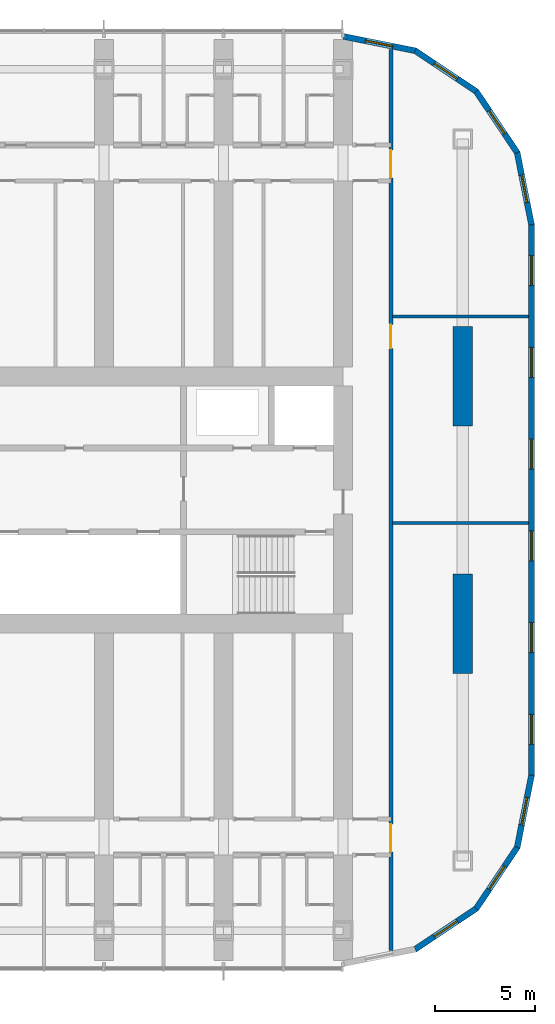
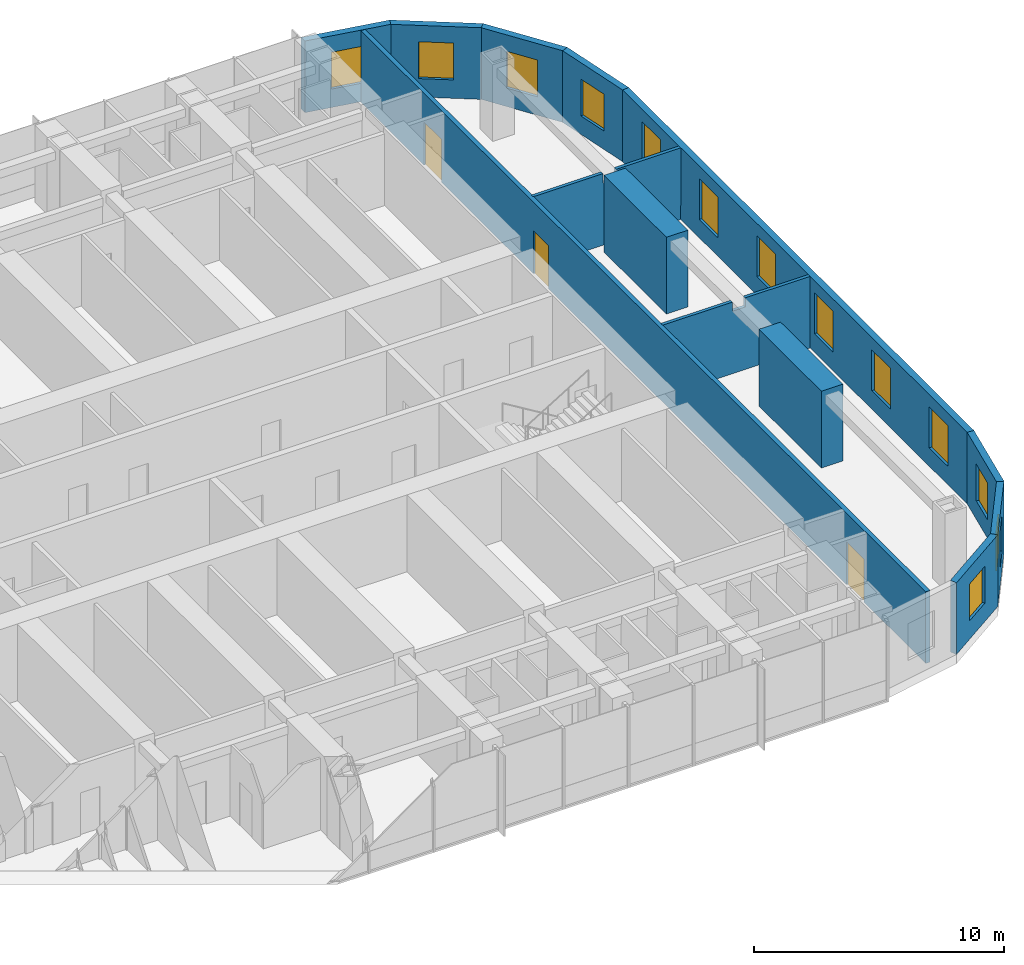
# One storey, part 18 of 25: 13 walls, 13 windows, 3 doors, 16 openings.
"""IFC4 building model written with IfcOpenShell, lengths in metres."""

from ifc_helpers import new_model, si_unit, direction, frame, frame_2d, origin, place, context, subcontext, project, spatial, polyline, rectangle, outline, extrude, material, layer, layer_set, type_object, element, fill, save


model = new_model("IFC4")

# Units and contexts
model_context = context("Model", 3, precision=1e-05, world=origin(), true_north=direction((0.0, 1.0)))
body_context = subcontext(model_context, "Body", "Model", "MODEL_VIEW")
ifc_project = project(units=[si_unit("LENGTHUNIT", "METRE"), si_unit("AREAUNIT", "SQUARE_METRE"), si_unit("VOLUMEUNIT", "CUBIC_METRE"), si_unit("PLANEANGLEUNIT", "RADIAN"), si_unit("MASSUNIT", "GRAM", prefix="KILO")], contexts=[model_context])

# Site, building, storey
site_placement = place(None, origin())
site = spatial("IfcSite", under=ifc_project, at=site_placement, CompositionType="ELEMENT")
building_placement = place(site_placement, origin())
building = spatial("IfcBuilding", under=site, at=building_placement, Name="Orbita Commons", CompositionType="ELEMENT")
storey_placement = place(building_placement, frame((0.0, 0.0, 84.39990234375)))
storey = spatial("IfcBuildingStorey", under=building, at=storey_placement, Name="L20", CompositionType="ELEMENT", Elevation=84.39990234375)

# Wall, openings, doors
ifc_material_1 = material(Name="Concrete blockwork", Category="masonry")
ifc_layer_1 = layer(ifc_material_1, 0.199951171875)
ifc_layer_set_1 = layer_set([ifc_layer_1], Name="Concrete blockwork")
wall_type_1 = type_object("IfcWallType", Name="Corridor wall 200 blockwork", PredefinedType="SOLIDWALL", material=ifc_layer_set_1)
wall_1_placement = place(storey_placement, frame((68.39990234375, 9.4052734375, 0.0), z_axis=(0.0, 0.0, 1.0), x_axis=(0.0, 1.0, 0.0)))
wall_1 = element("IfcWall", 1, at=wall_1_placement, inside=storey, type_object=wall_type_1, Name="Corridor wall 200 blockwork L20", PredefinedType="SOLIDWALL", context=body_context, shape_type="SweptSolid", body=[
    extrude(rectangle(XDim=45.189453125, YDim=0.199951171875, at=frame_2d((22.5947265625, 0.0))), origin(), (0.0, 0.0, 1.0), 3.5),
])
opening_1_placement = place(wall_1_placement, frame((30.19482421875, 0.0, 0.0)))
opening_1 = element("IfcOpeningElement", 2, at=opening_1_placement, cuts=wall_1, Name="Opening D15", PredefinedType="OPENING", context=body_context, shape_type="SweptSolid", body=[
    extrude(rectangle(XDim=1.199951171875, YDim=2.10009765625, at=frame_2d((0.60009765625, 1.050048828125))), frame((0.0, 0.10986328125, 0.0), z_axis=(0.0, -1.0, 0.0), x_axis=(1.0, 0.0, 0.0)), (0.0, 0.0, 1.0), 0.219970703125),
])
opening_2_placement = place(wall_1_placement, frame((4.94482421875, 0.0, 0.0)))
opening_2 = element("IfcOpeningElement", 3, at=opening_2_placement, cuts=wall_1, Name="Opening D08", PredefinedType="OPENING", context=body_context, shape_type="SweptSolid", body=[
    extrude(rectangle(XDim=1.39990234375, YDim=2.10009765625, at=frame_2d((0.699951171875, 1.050048828125))), frame((0.0, 0.10986328125, 0.0), z_axis=(0.0, -1.0, 0.0), x_axis=(1.0, 0.0, 0.0)), (0.0, 0.0, 1.0), 0.219970703125),
])
opening_3_placement = place(wall_1_placement, frame((38.74462890625, 0.0, 0.0)))
opening_3 = element("IfcOpeningElement", 4, at=opening_3_placement, cuts=wall_1, Name="Opening D08", PredefinedType="OPENING", context=body_context, shape_type="SweptSolid", body=[
    extrude(rectangle(XDim=1.39990234375, YDim=2.10009765625, at=frame_2d((0.699951171875, 1.050048828125))), frame((0.0, 0.10986328125, 0.0), z_axis=(0.0, -1.0, 0.0), x_axis=(1.0, 0.0, 0.0)), (0.0, 0.0, 1.0), 0.219970703125),
])
ifc_material_2 = material(Name="Steel-faced fire door leaf", Category="steel")
door_type_1 = type_object("IfcDoorType", Name="Corridor door 20 min 1200x2100", OperationType="SINGLE_SWING_LEFT", PredefinedType="DOOR", material=ifc_material_2)
door_1_placement = place(opening_1_placement, origin())
door_1 = element("IfcDoor", 5, at=door_1_placement, inside=storey, type_object=door_type_1, Name="Study hall door", OperationType="SINGLE_SWING_LEFT", OverallHeight=2.10009765625, OverallWidth=1.199951171875, PredefinedType="DOOR", context=body_context, shape_type="SweptSolid", body=[
    extrude(rectangle(XDim=1.199951171875, YDim=2.10009765625, at=frame_2d((0.60009765625, 1.050048828125))), frame((0.0, 0.02490234375, 0.0), z_axis=(0.0, -1.0, 0.0), x_axis=(1.0, 0.0, 0.0)), (0.0, 0.0, 1.0), 0.050048828125),
])
fill(opening_1, door_1)
ifc_material_3 = material(Name="Steel-faced fire door leaf", Category="steel")
door_type_2 = type_object("IfcDoorType", Name="Double corridor door 20 min 1400x2100", OperationType="DOUBLE_DOOR_SINGLE_SWING", PredefinedType="DOOR", material=ifc_material_3)
door_2_placement = place(opening_2_placement, origin())
door_2 = element("IfcDoor", 6, at=door_2_placement, inside=storey, type_object=door_type_2, Name="Lounge doors", OperationType="DOUBLE_DOOR_SINGLE_SWING", OverallHeight=2.10009765625, OverallWidth=1.39990234375, PredefinedType="DOOR", context=body_context, shape_type="SweptSolid", body=[
    extrude(rectangle(XDim=1.39990234375, YDim=2.10009765625, at=frame_2d((0.699951171875, 1.050048828125))), frame((0.0, 0.02490234375, 0.0), z_axis=(0.0, -1.0, 0.0), x_axis=(1.0, 0.0, 0.0)), (0.0, 0.0, 1.0), 0.050048828125),
])
fill(opening_2, door_2)
door_3_placement = place(opening_3_placement, origin())
door_3 = element("IfcDoor", 7, at=door_3_placement, inside=storey, type_object=door_type_2, Name="Lounge doors", OperationType="DOUBLE_DOOR_SINGLE_SWING", OverallHeight=2.10009765625, OverallWidth=1.39990234375, PredefinedType="DOOR", context=body_context, shape_type="SweptSolid", body=[
    extrude(rectangle(XDim=1.39990234375, YDim=2.10009765625, at=frame_2d((0.699951171875, 1.050048828125))), frame((0.0, 0.02490234375, 0.0), z_axis=(0.0, -1.0, 0.0), x_axis=(1.0, 0.0, 0.0)), (0.0, 0.0, 1.0), 0.050048828125),
])
fill(opening_3, door_3)

# Walls
ifc_material_4 = material(Name="Concrete C50/60", Category="concrete")
ifc_layer_2 = layer(ifc_material_4, 1.0)
ifc_layer_set_2 = layer_set([ifc_layer_2], Name="Concrete C50/60")
wall_type_2 = type_object("IfcWallType", Name="End pier 1000x5000 C50/60", PredefinedType="SHEAR", material=ifc_layer_set_2)
for number, where, z_axis, x_axis, name in (
    (8, (72.0, 23.300048828125, 0.0), (0.0, 0.0, 1.0), (0.0, 1.0, 0.0), "End pier 13/C L20"),
    (9, (72.0, 35.699951171875, 0.0), (0.0, 0.0, 1.0), (0.0, 1.0, 0.0), "End pier 13/D L20"),
):
    element("IfcWall", number, at=place(storey_placement, frame(where, z_axis=z_axis, x_axis=x_axis)), inside=storey, type_object=wall_type_2, Name=name, PredefinedType="SHEAR", context=body_context, shape_type="SweptSolid", body=[
        extrude(rectangle(XDim=5.0, YDim=1.0, at=frame_2d((2.5, 0.0))), origin(), (0.0, 0.0, 1.0), 3.75),
    ])
ifc_material_5 = material(Name="Gypsum plasterboard on steel studs", Category="steel")
ifc_layer_3 = layer(ifc_material_5, 0.14990234375)
ifc_layer_set_3 = layer_set([ifc_layer_3], Name="Gypsum plasterboard on steel studs")
wall_type_3 = type_object("IfcWallType", Name="Partition 150 plasterboard", PredefinedType="PARTITIONING", material=ifc_layer_set_3)
for number, where, z_axis, x_axis, name in (
    (10, (68.47509765625, 30.85009765625, 0.0), (0.0, 0.0, 1.0), (1.0, 0.0, 0.0), "Partition 150 plasterboard L20"),
    (11, (68.47509765625, 41.199951171875, 0.0), (0.0, 0.0, 1.0), (1.0, 0.0, 0.0), "Partition 150 plasterboard L20"),
):
    element("IfcWall", number, at=place(storey_placement, frame(where, z_axis=z_axis, x_axis=x_axis)), inside=storey, type_object=wall_type_3, Name=name, PredefinedType="PARTITIONING", context=body_context, shape_type="SweptSolid", body=[
        extrude(outline(polyline([(0.0, 0.0), (6.81982421875, 0.0), (6.820068359375, 3.5), (3.826904296875, 3.5), (3.824951171875, 3.050048828125), (3.22705078125, 3.050048828125), (3.22509765625, 3.5), (0.0, 3.5), (0.0, 0.0)])), frame((0.0, 0.074951171875, 0.0), z_axis=(0.0, -1.0, 0.0), x_axis=(1.0, 0.0, 0.0)), (0.0, 0.0, 1.0), 0.14990234375),
    ])

# Wall, openings, windows
ifc_material_6 = material(Name="Precast concrete C40/50, white board-marked finish", Category="concrete")
ifc_layer_4 = layer(ifc_material_6, 0.300048828125)
ifc_layer_set_4 = layer_set([ifc_layer_4], Name="Precast concrete C40/50, white board-marked finish")
wall_type_4 = type_object("IfcWallType", Name="Precast concrete end shield 300", PredefinedType="SOLIDWALL", material=ifc_layer_set_4)
wall_2_placement = place(storey_placement, frame((75.449951171875, 18.199951171875, 0.0), z_axis=(0.0, 0.0, 1.0), x_axis=(0.0, 1.0, 0.0)))
wall_2 = element("IfcWall", 12, at=wall_2_placement, inside=storey, type_object=wall_type_4, Name="End shield E L20", PredefinedType="SOLIDWALL", context=body_context, shape_type="SweptSolid", body=[
    extrude(outline(polyline([(-0.014892578125, -0.14990234375), (27.614990234375, -0.14990234375), (27.585205078125, 0.14990234375), (0.014892578125, 0.14990234375), (-0.014892578125, -0.14990234375)])), origin(), (0.0, 0.0, 1.0), 3.5),
])
opening_4_placement = place(wall_2_placement, frame((1.550048828125, 0.0, 0.89990234375)))
opening_4 = element("IfcOpeningElement", 13, at=opening_4_placement, cuts=wall_2, Name="Opening W01", PredefinedType="OPENING", context=body_context, shape_type="SweptSolid", body=[
    extrude(rectangle(XDim=1.5, YDim=2.0, at=frame_2d((0.75, 1.0))), frame((0.0, 0.159912109375, 0.0), z_axis=(0.0, -1.0, 0.0), x_axis=(1.0, 0.0, 0.0)), (0.0, 0.0, 1.0), 0.320068359375),
])
opening_5_placement = place(wall_2_placement, frame((6.14990234375, 0.0, 0.89990234375)))
opening_5 = element("IfcOpeningElement", 14, at=opening_5_placement, cuts=wall_2, Name="Opening W01", PredefinedType="OPENING", context=body_context, shape_type="SweptSolid", body=[
    extrude(rectangle(XDim=1.5, YDim=2.0, at=frame_2d((0.75, 1.0))), frame((0.0, 0.159912109375, 0.0), z_axis=(0.0, -1.0, 0.0), x_axis=(1.0, 0.0, 0.0)), (0.0, 0.0, 1.0), 0.320068359375),
])
opening_6_placement = place(wall_2_placement, frame((10.75, 0.0, 0.89990234375)))
opening_6 = element("IfcOpeningElement", 15, at=opening_6_placement, cuts=wall_2, Name="Opening W01", PredefinedType="OPENING", context=body_context, shape_type="SweptSolid", body=[
    extrude(rectangle(XDim=1.5, YDim=2.0, at=frame_2d((0.75, 1.0))), frame((0.0, 0.159912109375, 0.0), z_axis=(0.0, -1.0, 0.0), x_axis=(1.0, 0.0, 0.0)), (0.0, 0.0, 1.0), 0.320068359375),
])
opening_7_placement = place(wall_2_placement, frame((15.35009765625, 0.0, 0.89990234375)))
opening_7 = element("IfcOpeningElement", 16, at=opening_7_placement, cuts=wall_2, Name="Opening W01", PredefinedType="OPENING", context=body_context, shape_type="SweptSolid", body=[
    extrude(rectangle(XDim=1.5, YDim=2.0, at=frame_2d((0.75, 1.0))), frame((0.0, 0.159912109375, 0.0), z_axis=(0.0, -1.0, 0.0), x_axis=(1.0, 0.0, 0.0)), (0.0, 0.0, 1.0), 0.320068359375),
])
opening_8_placement = place(wall_2_placement, frame((19.949951171875, 0.0, 0.89990234375)))
opening_8 = element("IfcOpeningElement", 17, at=opening_8_placement, cuts=wall_2, Name="Opening W01", PredefinedType="OPENING", context=body_context, shape_type="SweptSolid", body=[
    extrude(rectangle(XDim=1.5, YDim=2.0, at=frame_2d((0.75, 1.0))), frame((0.0, 0.159912109375, 0.0), z_axis=(0.0, -1.0, 0.0), x_axis=(1.0, 0.0, 0.0)), (0.0, 0.0, 1.0), 0.320068359375),
])
opening_9_placement = place(wall_2_placement, frame((24.550048828125, 0.0, 0.89990234375)))
opening_9 = element("IfcOpeningElement", 18, at=opening_9_placement, cuts=wall_2, Name="Opening W01", PredefinedType="OPENING", context=body_context, shape_type="SweptSolid", body=[
    extrude(rectangle(XDim=1.5, YDim=2.0, at=frame_2d((0.75, 1.0))), frame((0.0, 0.159912109375, 0.0), z_axis=(0.0, -1.0, 0.0), x_axis=(1.0, 0.0, 0.0)), (0.0, 0.0, 1.0), 0.320068359375),
])
ifc_material_7 = material(Name="Aluminium frame, clear double glazing", Category="aluminium")
window_type_1 = type_object("IfcWindowType", Name="Deep-set window 1500x2000", PartitioningType="SINGLE_PANEL", PredefinedType="WINDOW", material=ifc_material_7)
window_1_placement = place(opening_4_placement, origin())
window_1 = element("IfcWindow", 19, at=window_1_placement, inside=storey, type_object=window_type_1, Name="Window L20-E 1", OverallHeight=2.0, OverallWidth=1.5, PartitioningType="SINGLE_PANEL", PredefinedType="WINDOW", context=body_context, shape_type="SweptSolid", body=[
    extrude(rectangle(XDim=1.5, YDim=2.0, at=frame_2d((0.75, 1.0))), frame((0.0, 0.030029296875, 0.0), z_axis=(0.0, -1.0, 0.0), x_axis=(1.0, 0.0, 0.0)), (0.0, 0.0, 1.0), 0.06005859375),
])
fill(opening_4, window_1)
window_2_placement = place(opening_5_placement, origin())
window_2 = element("IfcWindow", 20, at=window_2_placement, inside=storey, type_object=window_type_1, Name="Window L20-E 2", OverallHeight=2.0, OverallWidth=1.5, PartitioningType="SINGLE_PANEL", PredefinedType="WINDOW", context=body_context, shape_type="SweptSolid", body=[
    extrude(rectangle(XDim=1.5, YDim=2.0, at=frame_2d((0.75, 1.0))), frame((0.0, 0.030029296875, 0.0), z_axis=(0.0, -1.0, 0.0), x_axis=(1.0, 0.0, 0.0)), (0.0, 0.0, 1.0), 0.06005859375),
])
fill(opening_5, window_2)
window_3_placement = place(opening_6_placement, origin())
window_3 = element("IfcWindow", 21, at=window_3_placement, inside=storey, type_object=window_type_1, Name="Window L20-E 3", OverallHeight=2.0, OverallWidth=1.5, PartitioningType="SINGLE_PANEL", PredefinedType="WINDOW", context=body_context, shape_type="SweptSolid", body=[
    extrude(rectangle(XDim=1.5, YDim=2.0, at=frame_2d((0.75, 1.0))), frame((0.0, 0.030029296875, 0.0), z_axis=(0.0, -1.0, 0.0), x_axis=(1.0, 0.0, 0.0)), (0.0, 0.0, 1.0), 0.06005859375),
])
fill(opening_6, window_3)
window_4_placement = place(opening_7_placement, origin())
window_4 = element("IfcWindow", 22, at=window_4_placement, inside=storey, type_object=window_type_1, Name="Window L20-E 4", OverallHeight=2.0, OverallWidth=1.5, PartitioningType="SINGLE_PANEL", PredefinedType="WINDOW", context=body_context, shape_type="SweptSolid", body=[
    extrude(rectangle(XDim=1.5, YDim=2.0, at=frame_2d((0.75, 1.0))), frame((0.0, 0.030029296875, 0.0), z_axis=(0.0, -1.0, 0.0), x_axis=(1.0, 0.0, 0.0)), (0.0, 0.0, 1.0), 0.06005859375),
])
fill(opening_7, window_4)
window_5_placement = place(opening_8_placement, origin())
window_5 = element("IfcWindow", 23, at=window_5_placement, inside=storey, type_object=window_type_1, Name="Window L20-E 5", OverallHeight=2.0, OverallWidth=1.5, PartitioningType="SINGLE_PANEL", PredefinedType="WINDOW", context=body_context, shape_type="SweptSolid", body=[
    extrude(rectangle(XDim=1.5, YDim=2.0, at=frame_2d((0.75, 1.0))), frame((0.0, 0.030029296875, 0.0), z_axis=(0.0, -1.0, 0.0), x_axis=(1.0, 0.0, 0.0)), (0.0, 0.0, 1.0), 0.06005859375),
])
fill(opening_8, window_5)
window_6_placement = place(opening_9_placement, origin())
window_6 = element("IfcWindow", 24, at=window_6_placement, inside=storey, type_object=window_type_1, Name="Window L20-E 6", OverallHeight=2.0, OverallWidth=1.5, PartitioningType="SINGLE_PANEL", PredefinedType="WINDOW", context=body_context, shape_type="SweptSolid", body=[
    extrude(rectangle(XDim=1.5, YDim=2.0, at=frame_2d((0.75, 1.0))), frame((0.0, 0.030029296875, 0.0), z_axis=(0.0, -1.0, 0.0), x_axis=(1.0, 0.0, 0.0)), (0.0, 0.0, 1.0), 0.06005859375),
])
fill(opening_9, window_6)

# Wall, opening, window
wall_3_placement = place(storey_placement, frame((69.616455078125, 9.46923828125, 0.0), z_axis=(0.0, 0.0, 1.0), x_axis=(0.831448786846, 0.555601399253, 0.0)))
wall_3 = element("IfcWall", 25, at=wall_3_placement, inside=storey, type_object=wall_type_4, Name="End shield SE chord 2 L20", PredefinedType="SOLIDWALL", context=body_context, shape_type="SweptSolid", body=[
    extrude(outline(polyline([(-0.02978515625, -0.14990234375), (3.717041015625, -0.14990234375), (3.657470703125, 0.14990234375), (0.02978515625, 0.14990234375), (-0.02978515625, -0.14990234375)])), origin(), (0.0, 0.0, 1.0), 3.5),
])
opening_10_placement = place(wall_3_placement, frame((1.1435546875, 0.0, 0.89990234375)))
opening_10 = element("IfcOpeningElement", 26, at=opening_10_placement, cuts=wall_3, Name="Opening W02", PredefinedType="OPENING", context=body_context, shape_type="SweptSolid", body=[
    extrude(rectangle(XDim=1.39990234375, YDim=1.800048828125, at=frame_2d((0.699951171875, 0.89990234375))), frame((0.0, 0.159912109375, 0.0), z_axis=(0.0, -1.0, 0.0), x_axis=(1.0, 0.0, 0.0)), (0.0, 0.0, 1.0), 0.320068359375),
])
ifc_material_8 = material(Name="Aluminium frame, clear double glazing", Category="aluminium")
window_type_2 = type_object("IfcWindowType", Name="Deep-set window 1400x1800", PartitioningType="SINGLE_PANEL", PredefinedType="WINDOW", material=ifc_material_8)
window_7_placement = place(opening_10_placement, origin())
window_7 = element("IfcWindow", 27, at=window_7_placement, inside=storey, type_object=window_type_2, Name="Window L20-SE1", OverallHeight=1.800048828125, OverallWidth=1.39990234375, PartitioningType="SINGLE_PANEL", PredefinedType="WINDOW", context=body_context, shape_type="SweptSolid", body=[
    extrude(rectangle(XDim=1.39990234375, YDim=1.800048828125, at=frame_2d((0.699951171875, 0.89990234375))), frame((0.0, 0.030029296875, 0.0), z_axis=(0.0, -1.0, 0.0), x_axis=(1.0, 0.0, 0.0)), (0.0, 0.0, 1.0), 0.06005859375),
])
fill(opening_10, window_7)

wall_4_placement = place(storey_placement, frame((72.68212890625, 11.517822265625, 0.0), z_axis=(0.0, 0.0, 1.0), x_axis=(0.555601399253, 0.831448786846, 0.0)))
wall_4 = element("IfcWall", 28, at=wall_4_placement, inside=storey, type_object=wall_type_4, Name="End shield SE chord 3 L20", PredefinedType="SOLIDWALL", context=body_context, shape_type="SweptSolid", body=[
    extrude(outline(polyline([(-0.02978515625, -0.14990234375), (3.717041015625, -0.14990234375), (3.657470703125, 0.14990234375), (0.02978515625, 0.14990234375), (-0.02978515625, -0.14990234375)])), origin(), (0.0, 0.0, 1.0), 3.5),
])
opening_11_placement = place(wall_4_placement, frame((1.1435546875, 0.0, 0.89990234375)))
opening_11 = element("IfcOpeningElement", 29, at=opening_11_placement, cuts=wall_4, Name="Opening W02", PredefinedType="OPENING", context=body_context, shape_type="SweptSolid", body=[
    extrude(rectangle(XDim=1.39990234375, YDim=1.800048828125, at=frame_2d((0.699951171875, 0.89990234375))), frame((0.0, 0.159912109375, 0.0), z_axis=(0.0, -1.0, 0.0), x_axis=(1.0, 0.0, 0.0)), (0.0, 0.0, 1.0), 0.320068359375),
])
window_8_placement = place(opening_11_placement, origin())
window_8 = element("IfcWindow", 30, at=window_8_placement, inside=storey, type_object=window_type_2, Name="Window L20-SE2", OverallHeight=1.800048828125, OverallWidth=1.39990234375, PartitioningType="SINGLE_PANEL", PredefinedType="WINDOW", context=body_context, shape_type="SweptSolid", body=[
    extrude(rectangle(XDim=1.39990234375, YDim=1.800048828125, at=frame_2d((0.699951171875, 0.89990234375))), frame((0.0, 0.030029296875, 0.0), z_axis=(0.0, -1.0, 0.0), x_axis=(1.0, 0.0, 0.0)), (0.0, 0.0, 1.0), 0.06005859375),
])
fill(opening_11, window_8)

wall_5_placement = place(storey_placement, frame((74.730712890625, 14.58349609375, 0.0), z_axis=(0.0, 0.0, 1.0), x_axis=(0.195059183267, 0.980791473772, 0.0)))
wall_5 = element("IfcWall", 31, at=wall_5_placement, inside=storey, type_object=wall_type_4, Name="End shield SE chord 4 L20", PredefinedType="SOLIDWALL", context=body_context, shape_type="SweptSolid", body=[
    extrude(outline(polyline([(-0.02978515625, -0.14990234375), (3.7021484375, -0.14990234375), (3.67236328125, 0.14990234375), (0.02978515625, 0.14990234375), (-0.02978515625, -0.14990234375)])), origin(), (0.0, 0.0, 1.0), 3.5),
])
opening_12_placement = place(wall_5_placement, frame((1.1435546875, 0.0, 0.89990234375)))
opening_12 = element("IfcOpeningElement", 32, at=opening_12_placement, cuts=wall_5, Name="Opening W02", PredefinedType="OPENING", context=body_context, shape_type="SweptSolid", body=[
    extrude(rectangle(XDim=1.39990234375, YDim=1.800048828125, at=frame_2d((0.699951171875, 0.89990234375))), frame((0.0, 0.159912109375, 0.0), z_axis=(0.0, -1.0, 0.0), x_axis=(1.0, 0.0, 0.0)), (0.0, 0.0, 1.0), 0.320068359375),
])
window_9_placement = place(opening_12_placement, origin())
window_9 = element("IfcWindow", 33, at=window_9_placement, inside=storey, type_object=window_type_2, Name="Window L20-SE3", OverallHeight=1.800048828125, OverallWidth=1.39990234375, PartitioningType="SINGLE_PANEL", PredefinedType="WINDOW", context=body_context, shape_type="SweptSolid", body=[
    extrude(rectangle(XDim=1.39990234375, YDim=1.800048828125, at=frame_2d((0.699951171875, 0.89990234375))), frame((0.0, 0.030029296875, 0.0), z_axis=(0.0, -1.0, 0.0), x_axis=(1.0, 0.0, 0.0)), (0.0, 0.0, 1.0), 0.06005859375),
])
fill(opening_12, window_9)

wall_6_placement = place(storey_placement, frame((75.449951171875, 45.800048828125, 0.0), z_axis=(0.0, 0.0, 1.0), x_axis=(-0.195059183267, 0.980791473772, 0.0)))
wall_6 = element("IfcWall", 34, at=wall_6_placement, inside=storey, type_object=wall_type_4, Name="End shield NE chord 1 L20", PredefinedType="SOLIDWALL", context=body_context, shape_type="SweptSolid", body=[
    extrude(outline(polyline([(-0.014892578125, -0.14990234375), (3.717041015625, -0.14990234375), (3.657470703125, 0.14990234375), (0.014892578125, 0.14990234375), (-0.014892578125, -0.14990234375)])), origin(), (0.0, 0.0, 1.0), 3.5),
])
opening_13_placement = place(wall_6_placement, frame((1.1435546875, 0.0, 0.89990234375)))
opening_13 = element("IfcOpeningElement", 35, at=opening_13_placement, cuts=wall_6, Name="Opening W02", PredefinedType="OPENING", context=body_context, shape_type="SweptSolid", body=[
    extrude(rectangle(XDim=1.39990234375, YDim=1.800048828125, at=frame_2d((0.699951171875, 0.89990234375))), frame((0.0, 0.159912109375, 0.0), z_axis=(0.0, -1.0, 0.0), x_axis=(1.0, 0.0, 0.0)), (0.0, 0.0, 1.0), 0.320068359375),
])
window_10_placement = place(opening_13_placement, origin())
window_10 = element("IfcWindow", 36, at=window_10_placement, inside=storey, type_object=window_type_2, Name="Window L20-NE0", OverallHeight=1.800048828125, OverallWidth=1.39990234375, PartitioningType="SINGLE_PANEL", PredefinedType="WINDOW", context=body_context, shape_type="SweptSolid", body=[
    extrude(rectangle(XDim=1.39990234375, YDim=1.800048828125, at=frame_2d((0.699951171875, 0.89990234375))), frame((0.0, 0.030029296875, 0.0), z_axis=(0.0, -1.0, 0.0), x_axis=(1.0, 0.0, 0.0)), (0.0, 0.0, 1.0), 0.06005859375),
])
fill(opening_13, window_10)

wall_7_placement = place(storey_placement, frame((74.730712890625, 49.41650390625, 0.0), z_axis=(0.0, 0.0, 1.0), x_axis=(-0.555601399253, 0.831448786846, 0.0)))
wall_7 = element("IfcWall", 37, at=wall_7_placement, inside=storey, type_object=wall_type_4, Name="End shield NE chord 2 L20", PredefinedType="SOLIDWALL", context=body_context, shape_type="SweptSolid", body=[
    extrude(outline(polyline([(-0.02978515625, -0.14990234375), (3.717041015625, -0.14990234375), (3.657470703125, 0.14990234375), (0.02978515625, 0.14990234375), (-0.02978515625, -0.14990234375)])), origin(), (0.0, 0.0, 1.0), 3.5),
])
opening_14_placement = place(wall_7_placement, frame((1.1435546875, 0.0, 0.89990234375)))
opening_14 = element("IfcOpeningElement", 38, at=opening_14_placement, cuts=wall_7, Name="Opening W02", PredefinedType="OPENING", context=body_context, shape_type="SweptSolid", body=[
    extrude(rectangle(XDim=1.39990234375, YDim=1.800048828125, at=frame_2d((0.699951171875, 0.89990234375))), frame((0.0, 0.159912109375, 0.0), z_axis=(0.0, -1.0, 0.0), x_axis=(1.0, 0.0, 0.0)), (0.0, 0.0, 1.0), 0.320068359375),
])
window_11_placement = place(opening_14_placement, origin())
window_11 = element("IfcWindow", 39, at=window_11_placement, inside=storey, type_object=window_type_2, Name="Window L20-NE1", OverallHeight=1.800048828125, OverallWidth=1.39990234375, PartitioningType="SINGLE_PANEL", PredefinedType="WINDOW", context=body_context, shape_type="SweptSolid", body=[
    extrude(rectangle(XDim=1.39990234375, YDim=1.800048828125, at=frame_2d((0.699951171875, 0.89990234375))), frame((0.0, 0.030029296875, 0.0), z_axis=(0.0, -1.0, 0.0), x_axis=(1.0, 0.0, 0.0)), (0.0, 0.0, 1.0), 0.06005859375),
])
fill(opening_14, window_11)

wall_8_placement = place(storey_placement, frame((72.68212890625, 52.482177734375, 0.0), z_axis=(0.0, 0.0, 1.0), x_axis=(-0.831448786846, 0.555601399253, 0.0)))
wall_8 = element("IfcWall", 40, at=wall_8_placement, inside=storey, type_object=wall_type_4, Name="End shield NE chord 3 L20", PredefinedType="SOLIDWALL", context=body_context, shape_type="SweptSolid", body=[
    extrude(outline(polyline([(-0.02978515625, -0.14990234375), (3.717041015625, -0.14990234375), (3.657470703125, 0.14990234375), (0.02978515625, 0.14990234375), (-0.02978515625, -0.14990234375)])), origin(), (0.0, 0.0, 1.0), 3.5),
])
opening_15_placement = place(wall_8_placement, frame((1.1435546875, 0.0, 0.89990234375)))
opening_15 = element("IfcOpeningElement", 41, at=opening_15_placement, cuts=wall_8, Name="Opening W02", PredefinedType="OPENING", context=body_context, shape_type="SweptSolid", body=[
    extrude(rectangle(XDim=1.39990234375, YDim=1.800048828125, at=frame_2d((0.699951171875, 0.89990234375))), frame((0.0, 0.159912109375, 0.0), z_axis=(0.0, -1.0, 0.0), x_axis=(1.0, 0.0, 0.0)), (0.0, 0.0, 1.0), 0.320068359375),
])
window_12_placement = place(opening_15_placement, origin())
window_12 = element("IfcWindow", 42, at=window_12_placement, inside=storey, type_object=window_type_2, Name="Window L20-NE2", OverallHeight=1.800048828125, OverallWidth=1.39990234375, PartitioningType="SINGLE_PANEL", PredefinedType="WINDOW", context=body_context, shape_type="SweptSolid", body=[
    extrude(rectangle(XDim=1.39990234375, YDim=1.800048828125, at=frame_2d((0.699951171875, 0.89990234375))), frame((0.0, 0.030029296875, 0.0), z_axis=(0.0, -1.0, 0.0), x_axis=(1.0, 0.0, 0.0)), (0.0, 0.0, 1.0), 0.06005859375),
])
fill(opening_15, window_12)

wall_9_placement = place(storey_placement, frame((69.616455078125, 54.53076171875, 0.0), z_axis=(0.0, 0.0, 1.0), x_axis=(-0.980791473772, 0.195059183267, 0.0)))
wall_9 = element("IfcWall", 43, at=wall_9_placement, inside=storey, type_object=wall_type_4, Name="End shield NE chord 4 L20", PredefinedType="SOLIDWALL", context=body_context, shape_type="SweptSolid", body=[
    extrude(outline(polyline([(-0.02978515625, -0.14990234375), (3.717041015625, -0.14990234375), (3.657470703125, 0.14990234375), (0.02978515625, 0.14990234375), (-0.02978515625, -0.14990234375)])), origin(), (0.0, 0.0, 1.0), 3.5),
])
opening_16_placement = place(wall_9_placement, frame((1.1435546875, 0.0, 0.89990234375)))
opening_16 = element("IfcOpeningElement", 44, at=opening_16_placement, cuts=wall_9, Name="Opening W02", PredefinedType="OPENING", context=body_context, shape_type="SweptSolid", body=[
    extrude(rectangle(XDim=1.39990234375, YDim=1.800048828125, at=frame_2d((0.699951171875, 0.89990234375))), frame((0.0, 0.159912109375, 0.0), z_axis=(0.0, -1.0, 0.0), x_axis=(1.0, 0.0, 0.0)), (0.0, 0.0, 1.0), 0.320068359375),
])
window_13_placement = place(opening_16_placement, origin())
window_13 = element("IfcWindow", 45, at=window_13_placement, inside=storey, type_object=window_type_2, Name="Window L20-NE3", OverallHeight=1.800048828125, OverallWidth=1.39990234375, PartitioningType="SINGLE_PANEL", PredefinedType="WINDOW", context=body_context, shape_type="SweptSolid", body=[
    extrude(rectangle(XDim=1.39990234375, YDim=1.800048828125, at=frame_2d((0.699951171875, 0.89990234375))), frame((0.0, 0.030029296875, 0.0), z_axis=(0.0, -1.0, 0.0), x_axis=(1.0, 0.0, 0.0)), (0.0, 0.0, 1.0), 0.06005859375),
])
fill(opening_16, window_13)

save(model, "model.ifc")
